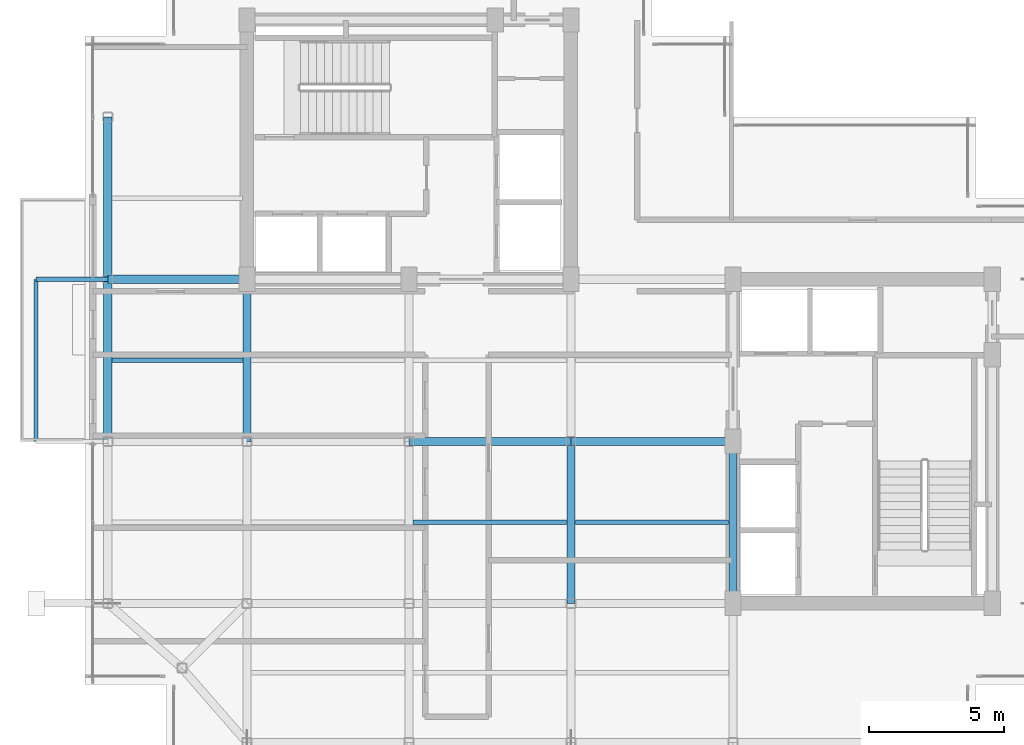
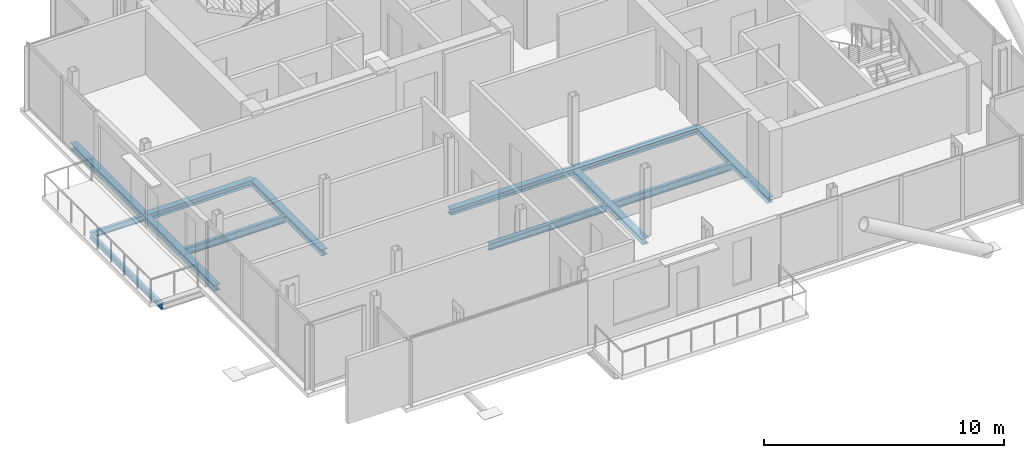
# One storey, part 6 of 18: 13 beams.
"""IFC4 building model written with IfcOpenShell, lengths in metres."""

from ifc_helpers import new_model, si_unit, direction, frame, origin, origin_2d, place, context, subcontext, project, spatial, i_section, extrude, material, material_profile, profile_set, type_object, element, save


model = new_model("IFC4")

# Units and contexts
model_context = context("Model", 3, precision=1e-05, world=origin(), true_north=direction((0.0, 1.0)))
body_context = subcontext(model_context, "Body", "Model", "MODEL_VIEW")
ifc_project = project(units=[si_unit("LENGTHUNIT", "METRE"), si_unit("AREAUNIT", "SQUARE_METRE"), si_unit("VOLUMEUNIT", "CUBIC_METRE"), si_unit("PLANEANGLEUNIT", "RADIAN"), si_unit("MASSUNIT", "GRAM", prefix="KILO"), si_unit("THERMODYNAMICTEMPERATUREUNIT", "KELVIN"), si_unit("POWERUNIT", "WATT")], contexts=[model_context])

# Site, building, storey
site_placement = place(None, origin())
site = spatial("IfcSite", under=ifc_project, at=site_placement, CompositionType="ELEMENT")
building_placement = place(site_placement, origin())
building = spatial("IfcBuilding", under=site, at=building_placement, Name="Svarakhadi Broadcast Tower", CompositionType="ELEMENT")
storey_placement = place(building_placement, frame((0.0, 0.0, 278.199951171875)))
storey = spatial("IfcBuildingStorey", under=building, at=storey_placement, Name="L70", CompositionType="ELEMENT", Elevation=278.199951171875)

# Beams
ifc_material = material(Name="Steel S355J2 (IS 2062 E350C)", Category="steel")
ifc_material_profile_1 = material_profile(ifc_material, i_section(OverallWidth=0.169921875, OverallDepth=0.360107421875, WebThickness=0.008056640625, FlangeThickness=0.0126953125, FilletRadius=0.01806640625, at=origin_2d()), Name="NPB 360x170x57")
ifc_profile_set_1 = profile_set([ifc_material_profile_1], Name="Steel S355J2 (IS 2062 E350C)")
beam_type_1 = type_object("IfcBeamType", Name="Beam_NPB360", PredefinedType="BEAM", material=ifc_profile_set_1)
beam_1_placement = place(storey_placement, frame((1.010009765625, 15.0, -0.3798828125), z_axis=(1.0, 0.0, 0.0), x_axis=(0.0, 1.0, 0.0)))
element("IfcBeam", 1, at=beam_1_placement, inside=storey, type_object=beam_type_1, Name="L70 Secondary Composite Beam SB002", PredefinedType="BEAM", context=body_context, shape_type="SweptSolid", body=[
    extrude(i_section(OverallWidth=0.169921875, OverallDepth=0.360107421875, WebThickness=0.008056640625, FlangeThickness=0.0126953125, FilletRadius=0.01806640625, at=origin_2d()), origin(), (0.0, 0.0, 1.0), 4.830078125),
])
for number, where, z_axis, x_axis, name in (
    (2, (12.159912109375, 9.0, -0.3798828125), (1.0, 0.0, 0.0), (0.0, 1.0, 0.0), "L70 Secondary Composite Beam SB008"),
    (3, (18.159912109375, 9.0, -0.3798828125), (1.0, 0.0, 0.0), (0.0, 1.0, 0.0), "L70 Secondary Composite Beam SB011"),
):
    element("IfcBeam", number, at=place(storey_placement, frame(where, z_axis=z_axis, x_axis=x_axis)), inside=storey, type_object=beam_type_1, Name=name, PredefinedType="BEAM", context=body_context, shape_type="SweptSolid", body=[
        extrude(i_section(OverallWidth=0.169921875, OverallDepth=0.360107421875, WebThickness=0.008056640625, FlangeThickness=0.0126953125, FilletRadius=0.01806640625, at=origin_2d()), origin(), (0.0, 0.0, 1.0), 5.68017578125),
    ])
ifc_material_profile_2 = material_profile(ifc_material, i_section(OverallWidth=0.300048828125, OverallDepth=0.300048828125, WebThickness=0.010986328125, FlangeThickness=0.01904296875, FilletRadius=0.027099609375, at=origin_2d()), Name="WPB 300x300x117")
ifc_profile_set_2 = profile_set([ifc_material_profile_2], Name="Steel S355J2 (IS 2062 E350C)")
beam_type_2 = type_object("IfcBeamType", Name="Girder_WPB300", PredefinedType="USERDEFINED", material=ifc_profile_set_2)
for number, where, z_axis, x_axis, name in (
    (4, (12.0, 12.0, -0.349853515625), (1.0, 0.0, 0.0), (0.0, 1.0, 0.0), "L70 Primary E-W Girder G015"),
    (5, (18.0, 12.0, -0.349853515625), (1.0, 0.0, 0.0), (0.0, 1.0, 0.0), "L70 Primary E-W Girder G016"),
):
    element("IfcBeam", number, at=place(storey_placement, frame(where, z_axis=z_axis, x_axis=x_axis)), inside=storey, type_object=beam_type_2, Name=name, ObjectType="GIRDER", PredefinedType="USERDEFINED", context=body_context, shape_type="SweptSolid", body=[
        extrude(i_section(OverallWidth=0.300048828125, OverallDepth=0.300048828125, WebThickness=0.010986328125, FlangeThickness=0.01904296875, FilletRadius=0.027099609375, at=origin_2d()), origin(), (0.0, 0.0, 1.0), 6.0),
    ])
beam_2_placement = place(storey_placement, frame((0.85009765625, 18.0, -0.349853515625), z_axis=(1.0, 0.0, 0.0), x_axis=(0.0, 1.0, 0.0)))
element("IfcBeam", 6, at=beam_2_placement, inside=storey, type_object=beam_type_2, Name="L70 Primary E-W Girder G017", ObjectType="GIRDER", PredefinedType="USERDEFINED", context=body_context, shape_type="SweptSolid", body=[
    extrude(i_section(OverallWidth=0.300048828125, OverallDepth=0.300048828125, WebThickness=0.010986328125, FlangeThickness=0.01904296875, FilletRadius=0.027099609375, at=origin_2d()), origin(), (0.0, 0.0, 1.0), 5.14990234375),
])
for number, where, z_axis, x_axis, name in (
    (7, (0.85009765625, 12.0, -0.349853515625), (0.0, 1.0, 0.0), (-1.0, 0.0, 0.0), "L70 Primary N-S Girder G027"),
    (8, (0.85009765625, 18.0, -0.349853515625), (0.0, 1.0, 0.0), (-1.0, 0.0, 0.0), "L70 Primary N-S Girder G028"),
    (9, (6.0, 12.0, -0.349853515625), (0.0, 1.0, 0.0), (-1.0, 0.0, 0.0), "L70 Primary N-S Girder G031"),
    (10, (18.0, 6.0, -0.349853515625), (0.0, 1.0, 0.0), (-1.0, 0.0, 0.0), "L70 Primary N-S Girder G037"),
    (11, (24.0, 6.0, -0.349853515625), (0.0, 1.0, 0.0), (-1.0, 0.0, 0.0), "L70 Primary N-S Girder G041"),
):
    element("IfcBeam", number, at=place(storey_placement, frame(where, z_axis=z_axis, x_axis=x_axis)), inside=storey, type_object=beam_type_2, Name=name, ObjectType="GIRDER", PredefinedType="USERDEFINED", context=body_context, shape_type="SweptSolid", body=[
        extrude(i_section(OverallWidth=0.300048828125, OverallDepth=0.300048828125, WebThickness=0.010986328125, FlangeThickness=0.01904296875, FilletRadius=0.027099609375, at=origin_2d()), origin(), (0.0, 0.0, 1.0), 6.0),
    ])
ifc_material_profile_3 = material_profile(ifc_material, i_section(OverallWidth=0.14990234375, OverallDepth=0.300048828125, WebThickness=0.007080078125, FlangeThickness=0.0107421875, FilletRadius=0.014892578125, at=origin_2d()), Name="NPB 300x150x37")
ifc_profile_set_3 = profile_set([ifc_material_profile_3], Name="Steel S355J2 (IS 2062 E350C)")
beam_type_3 = type_object("IfcBeamType", Name="Spandrel_NPB300", PredefinedType="SPANDREL", material=ifc_profile_set_3)
beam_3_placement = place(storey_placement, frame((0.85009765625, 18.0, -0.375), z_axis=(-1.0, 0.0, 0.0), x_axis=(0.0, -1.0, 0.0)))
element("IfcBeam", 12, at=beam_3_placement, inside=storey, type_object=beam_type_3, Name="L70 Balcony Cantilever Bracket 2B", PredefinedType="SPANDREL", context=body_context, shape_type="SweptSolid", body=[
    extrude(i_section(OverallWidth=0.14990234375, OverallDepth=0.300048828125, WebThickness=0.007080078125, FlangeThickness=0.0107421875, FilletRadius=0.014892578125, at=origin_2d()), origin(), (0.0, 0.0, 1.0), 2.650146484375),
])
beam_4_placement = place(storey_placement, frame((-1.800048828125, 12.0, -0.375), z_axis=(0.0, 1.0, 0.0), x_axis=(-1.0, 0.0, 0.0)))
element("IfcBeam", 13, at=beam_4_placement, inside=storey, type_object=beam_type_3, Name="L70 Balcony Outer Spandrel 2F", PredefinedType="SPANDREL", context=body_context, shape_type="SweptSolid", body=[
    extrude(i_section(OverallWidth=0.14990234375, OverallDepth=0.300048828125, WebThickness=0.007080078125, FlangeThickness=0.0107421875, FilletRadius=0.014892578125, at=origin_2d()), origin(), (0.0, 0.0, 1.0), 6.0),
])

save(model, "model.ifc")
